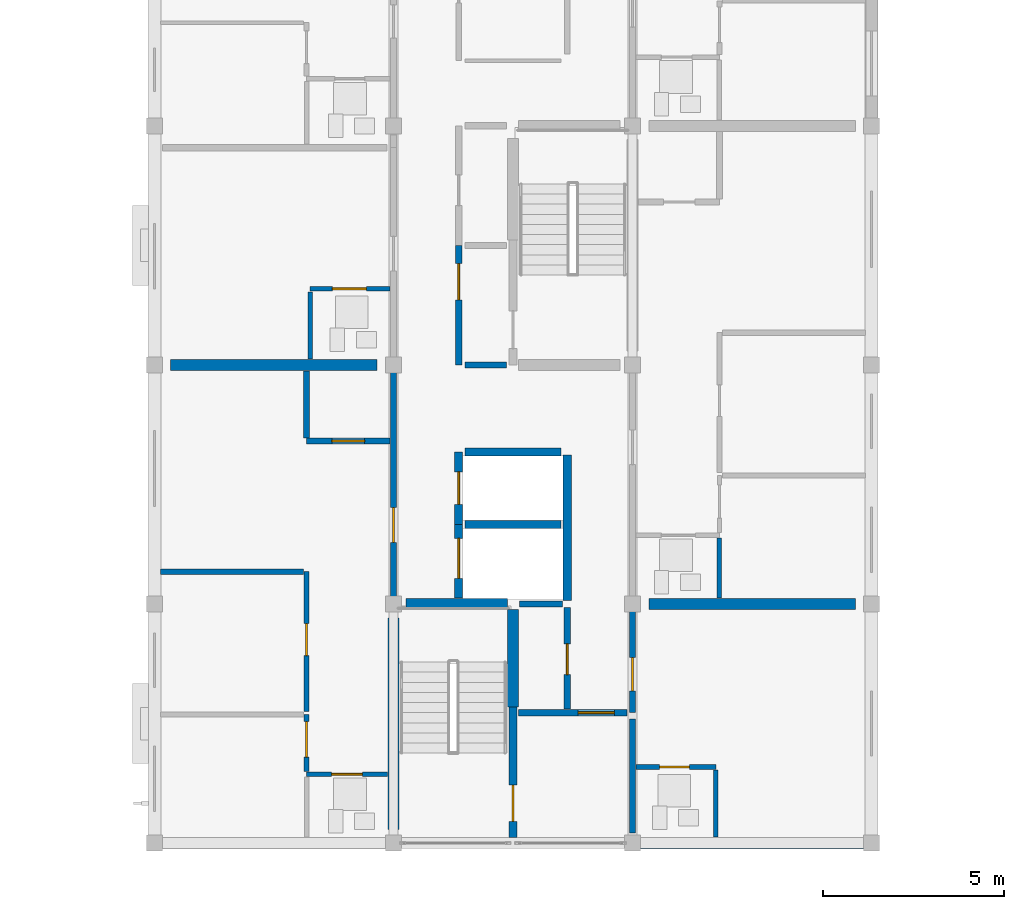
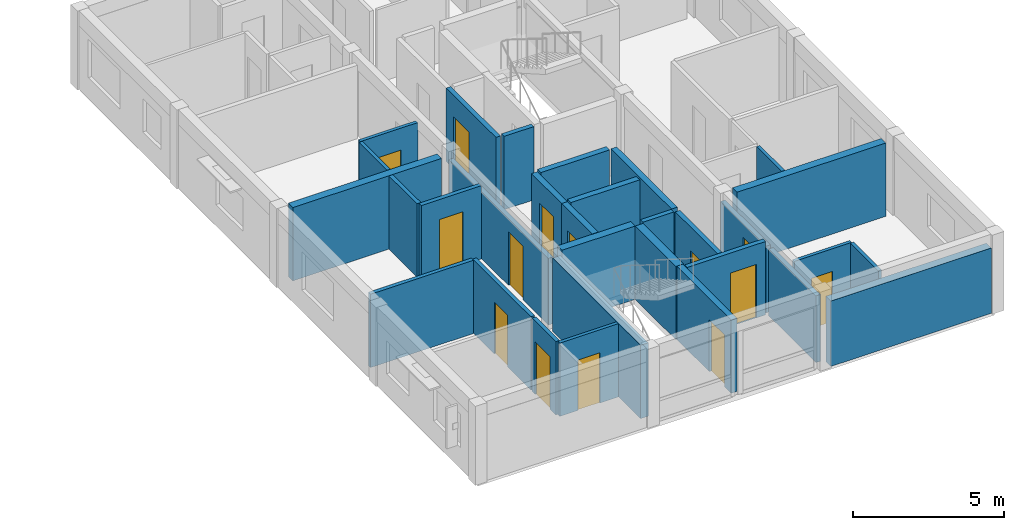
# One storey, part 31 of 53: 31 walls, 14 doors, 14 openings.
"""IFC4 building model written with IfcOpenShell, lengths in metres."""

from ifc_helpers import new_model, si_unit, direction, frame, frame_2d, origin, place, context, subcontext, project, spatial, rectangle, extrude, material, layer, layer_set, type_object, element, fill, save


model = new_model("IFC4")

# Units and contexts
model_context = context("Model", 3, precision=1e-05, world=origin(), true_north=direction((0.0, 1.0)))
body_context = subcontext(model_context, "Body", "Model", "MODEL_VIEW")
ifc_project = project(units=[si_unit("LENGTHUNIT", "METRE"), si_unit("AREAUNIT", "SQUARE_METRE"), si_unit("VOLUMEUNIT", "CUBIC_METRE"), si_unit("PLANEANGLEUNIT", "RADIAN"), si_unit("MASSUNIT", "GRAM", prefix="KILO")], contexts=[model_context])

# Site, building, storey
site_placement = place(None, origin())
site = spatial("IfcSite", under=ifc_project, at=site_placement, CompositionType="ELEMENT")
building_placement = place(site_placement, origin())
building = spatial("IfcBuilding", under=site, at=building_placement, Name="Kernevlak Ridge Housing Community", CompositionType="ELEMENT")
storey_placement = place(building_placement, frame((0.0, 0.0, 24.39990234375)))
storey = spatial("IfcBuildingStorey", under=building, at=storey_placement, Name="L07", CompositionType="ELEMENT", Elevation=24.39990234375)

# Wall
ifc_material_1 = material(Name="Concrete block masonry M10", Category="masonry")
ifc_layer_1 = layer(ifc_material_1, 0.320068359375, Name="Concrete block masonry M10")
ifc_layer_set_1 = layer_set([ifc_layer_1], Name="Concrete block masonry M10")
wall_type_1 = type_object("IfcWallType", Name="EW-02", PredefinedType="STANDARD", material=ifc_layer_set_1)
wall_1_placement = place(storey_placement, frame((139.425048828125, 15.60009765625, 0.0), z_axis=(0.0, 0.0, 1.0), x_axis=(1.0, 0.0, 0.0)))
element("IfcWall", 1, at=wall_1_placement, inside=storey, type_object=wall_type_1, Name="Exterior wall EW-02 L07 639", PredefinedType="STANDARD", context=body_context, shape_type="SweptSolid", body=[
    extrude(rectangle(XDim=6.14990234375, YDim=0.320068359375, at=frame_2d((3.074951171875, 0.0))), origin(), (0.0, 0.0, 1.0), 2.650146484375),
])

# Wall, opening, door
ifc_material_2 = material(Name="Concrete C35/45", Category="concrete")
ifc_layer_2 = layer(ifc_material_2, 0.22509765625, Name="Concrete C35/45")
ifc_layer_set_2 = layer_set([ifc_layer_2], Name="Concrete C35/45")
wall_type_2 = type_object("IfcWallType", Name="PW-01", PredefinedType="STANDARD", material=ifc_layer_set_2)
wall_2_placement = place(storey_placement, frame((135.89990234375, 15.75, 0.0), z_axis=(0.0, 0.0, 1.0), x_axis=(0.0, 1.0, 0.0)))
wall_2 = element("IfcWall", 2, at=wall_2_placement, inside=storey, type_object=wall_type_2, Name="Interior wall PW-01 WAL-INT-L07-2548", PredefinedType="STANDARD", context=body_context, shape_type="SweptSolid", body=[
    extrude(rectangle(XDim=3.60009765625, YDim=0.22509765625, at=frame_2d((1.800048828125, 0.0))), origin(), (0.0, 0.0, 1.0), 2.97021484375),
])
opening_1_placement = place(wall_2_placement, frame((0.449951171875, 0.0, 0.0)))
opening_1 = element("IfcOpeningElement", 3, at=opening_1_placement, cuts=wall_2, Name="Opening E293", PredefinedType="OPENING", context=body_context, shape_type="SweptSolid", body=[
    extrude(rectangle(XDim=1.0, YDim=2.10009765625, at=frame_2d((0.5, 1.050048828125))), frame((0.0, 0.12255859375, 0.0), z_axis=(0.0, -1.0, 0.0), x_axis=(1.0, 0.0, 0.0)), (0.0, 0.0, 1.0), 0.2451171875),
])
ifc_material_3 = material(Name="Fire-rated sheet steel leaf", Category="steel")
door_type_1 = type_object("IfcDoorType", Name="DT-05", OperationType="NOTDEFINED", PredefinedType="DOOR", material=ifc_material_3)
door_1_placement = place(opening_1_placement, origin())
door_1 = element("IfcDoor", 4, at=door_1_placement, inside=storey, type_object=door_type_1, Name="Block C Stair 1 fire door E293", OperationType="SINGLE_SWING_RIGHT", OverallHeight=2.10009765625, OverallWidth=1.0, PredefinedType="DOOR", context=body_context, shape_type="SweptSolid", body=[
    extrude(rectangle(XDim=1.0, YDim=2.10009765625, at=frame_2d((0.5, 1.050048828125))), frame((0.0, 0.02490234375, 0.0), z_axis=(0.0, -1.0, 0.0), x_axis=(1.0, 0.0, 0.0)), (0.0, 0.0, 1.0), 0.050048828125),
])
fill(opening_1, door_1)

wall_3_placement = place(storey_placement, frame((134.39990234375, 22.360107421875, 0.0), z_axis=(0.0, 0.0, 1.0), x_axis=(0.0, 1.0, 0.0)))
wall_3 = element("IfcWall", 5, at=wall_3_placement, inside=storey, type_object=wall_type_2, Name="Interior wall PW-01 WAL-INT-L07-2552", PredefinedType="STANDARD", context=body_context, shape_type="SweptSolid", body=[
    extrude(rectangle(XDim=2.039794921875, YDim=0.22509765625, at=frame_2d((1.02001953125, 0.0))), origin(), (0.0, 0.0, 1.0), 2.97021484375),
])
opening_2_placement = place(wall_3_placement, frame((0.550048828125, 0.0, 0.0)))
opening_2 = element("IfcOpeningElement", 6, at=opening_2_placement, cuts=wall_3, Name="Opening LD69", PredefinedType="OPENING", context=body_context, shape_type="SweptSolid", body=[
    extrude(rectangle(XDim=1.10009765625, YDim=2.10009765625, at=frame_2d((0.550048828125, 1.050048828125))), frame((0.0, 0.12255859375, 0.0), z_axis=(0.0, -1.0, 0.0), x_axis=(1.0, 0.0, 0.0)), (0.0, 0.0, 1.0), 0.2451171875),
])
ifc_material_4 = material(Name="Stainless steel EN 1.4401", Category="steel")
door_type_2 = type_object("IfcDoorType", Name="DT-LD1", OperationType="DOUBLE_DOOR_SLIDING", PredefinedType="DOOR", material=ifc_material_4)
door_2_placement = place(opening_2_placement, origin())
door_2 = element("IfcDoor", 7, at=door_2_placement, inside=storey, type_object=door_type_2, Name="Lift LF-C1 landing door LD69", OperationType="DOUBLE_DOOR_SLIDING", OverallHeight=2.10009765625, OverallWidth=1.10009765625, PredefinedType="DOOR", context=body_context, shape_type="SweptSolid", body=[
    extrude(rectangle(XDim=1.10009765625, YDim=2.10009765625, at=frame_2d((0.550048828125, 1.050048828125))), frame((0.0, 0.02490234375, 0.0), z_axis=(0.0, -1.0, 0.0), x_axis=(1.0, 0.0, 0.0)), (0.0, 0.0, 1.0), 0.050048828125),
])
fill(opening_2, door_2)

wall_4_placement = place(storey_placement, frame((134.39990234375, 24.39990234375, 0.0), z_axis=(0.0, 0.0, 1.0), x_axis=(0.0, 1.0, 0.0)))
wall_4 = element("IfcWall", 8, at=wall_4_placement, inside=storey, type_object=wall_type_2, Name="Interior wall PW-01 WAL-INT-L07-2553", PredefinedType="STANDARD", context=body_context, shape_type="SweptSolid", body=[
    extrude(rectangle(XDim=2.0, YDim=0.22509765625, at=frame_2d((1.0, 0.0))), origin(), (0.0, 0.0, 1.0), 2.97021484375),
])
opening_3_placement = place(wall_4_placement, frame((0.550048828125, 0.0, 0.0)))
opening_3 = element("IfcOpeningElement", 9, at=opening_3_placement, cuts=wall_4, Name="Opening LD70", PredefinedType="OPENING", context=body_context, shape_type="SweptSolid", body=[
    extrude(rectangle(XDim=0.89990234375, YDim=2.10009765625, at=frame_2d((0.449951171875, 1.050048828125))), frame((0.0, 0.12255859375, 0.0), z_axis=(0.0, -1.0, 0.0), x_axis=(1.0, 0.0, 0.0)), (0.0, 0.0, 1.0), 0.2451171875),
])
door_type_3 = type_object("IfcDoorType", Name="DT-LD2", OperationType="DOUBLE_DOOR_SLIDING", PredefinedType="DOOR", material=ifc_material_4)
door_3_placement = place(opening_3_placement, origin())
door_3 = element("IfcDoor", 10, at=door_3_placement, inside=storey, type_object=door_type_3, Name="Lift LF-C2 landing door LD70", OperationType="DOUBLE_DOOR_SLIDING", OverallHeight=2.10009765625, OverallWidth=0.89990234375, PredefinedType="DOOR", context=body_context, shape_type="SweptSolid", body=[
    extrude(rectangle(XDim=0.89990234375, YDim=2.10009765625, at=frame_2d((0.449951171875, 1.050048828125))), frame((0.0, 0.02490234375, 0.0), z_axis=(0.0, -1.0, 0.0), x_axis=(1.0, 0.0, 0.0)), (0.0, 0.0, 1.0), 0.050048828125),
])
fill(opening_3, door_3)

# Walls
wall_5_placement = place(storey_placement, frame((137.39990234375, 22.297607421875, 0.0), z_axis=(0.0, 0.0, 1.0), x_axis=(0.0, 1.0, 0.0)))
element("IfcWall", 11, at=wall_5_placement, inside=storey, type_object=wall_type_2, Name="Interior wall PW-01 WAL-INT-L07-2554", PredefinedType="STANDARD", context=body_context, shape_type="SweptSolid", body=[
    extrude(rectangle(XDim=4.0224609375, YDim=0.22509765625, at=frame_2d((2.01123046875, 0.0))), origin(), (0.0, 0.0, 1.0), 2.97021484375),
])
for number, where, z_axis, x_axis, name in (
    (12, (134.580078125, 24.39990234375, 0.0), (0.0, 0.0, 1.0), (1.0, 0.0, 0.0), "Interior wall PW-01 WAL-INT-L07-2556"),
    (13, (134.580078125, 26.39990234375, 0.0), (0.0, 0.0, 1.0), (1.0, 0.0, 0.0), "Interior wall PW-01 WAL-INT-L07-2557"),
):
    element("IfcWall", number, at=place(storey_placement, frame(where, z_axis=z_axis, x_axis=x_axis)), inside=storey, type_object=wall_type_2, Name=name, PredefinedType="STANDARD", context=body_context, shape_type="SweptSolid", body=[
        extrude(rectangle(XDim=2.639892578125, YDim=0.22509765625, at=frame_2d((1.31982421875, 0.0))), origin(), (0.0, 0.0, 1.0), 2.97021484375),
    ])

# Wall, opening, door
ifc_layer_3 = layer(ifc_material_1, 0.175048828125, Name="Concrete block masonry M10")
ifc_layer_set_3 = layer_set([ifc_layer_3], Name="Concrete block masonry M10")
wall_type_3 = type_object("IfcWallType", Name="PW-02", PredefinedType="PARTITIONING", material=ifc_layer_set_3)
wall_6_placement = place(storey_placement, frame((136.050048828125, 19.199951171875, 0.0), z_axis=(0.0, 0.0, 1.0), x_axis=(1.0, 0.0, 0.0)))
wall_6 = element("IfcWall", 14, at=wall_6_placement, inside=storey, type_object=wall_type_3, Name="Interior wall PW-02 WAL-INT-L07-2549", PredefinedType="PARTITIONING", context=body_context, shape_type="SweptSolid", body=[
    extrude(rectangle(XDim=3.0, YDim=0.175048828125, at=frame_2d((1.5, 0.0))), origin(), (0.0, 0.0, 1.0), 2.97021484375),
])
opening_4_placement = place(wall_6_placement, frame((1.64990234375, 0.0, 0.0)))
opening_4 = element("IfcOpeningElement", 15, at=opening_4_placement, cuts=wall_6, Name="Opening E294", PredefinedType="OPENING", context=body_context, shape_type="SweptSolid", body=[
    extrude(rectangle(XDim=1.0, YDim=2.159912109375, at=frame_2d((0.5, 1.080078125))), frame((0.0, 0.097412109375, 0.0), z_axis=(0.0, -1.0, 0.0), x_axis=(1.0, 0.0, 0.0)), (0.0, 0.0, 1.0), 0.195068359375),
])
door_type_4 = type_object("IfcDoorType", Name="DT-15", OperationType="NOTDEFINED", PredefinedType="DOOR", material=ifc_material_3)
door_4_placement = place(opening_4_placement, origin())
door_4 = element("IfcDoor", 16, at=door_4_placement, inside=storey, type_object=door_type_4, Name="Block C Firefighting lobby 1 door E294", OperationType="SINGLE_SWING_LEFT", OverallHeight=2.159912109375, OverallWidth=1.0, PredefinedType="DOOR", context=body_context, shape_type="SweptSolid", body=[
    extrude(rectangle(XDim=1.0, YDim=2.159912109375, at=frame_2d((0.5, 1.080078125))), frame((0.0, 0.02490234375, 0.0), z_axis=(0.0, -1.0, 0.0), x_axis=(1.0, 0.0, 0.0)), (0.0, 0.0, 1.0), 0.050048828125),
])
fill(opening_4, door_4)

wall_7_placement = place(storey_placement, frame((137.39990234375, 19.300048828125, 0.0), z_axis=(0.0, 0.0, 1.0), x_axis=(0.0, 1.0, 0.0)))
wall_7 = element("IfcWall", 17, at=wall_7_placement, inside=storey, type_object=wall_type_3, Name="Interior wall PW-02 WAL-INT-L07-2550", PredefinedType="PARTITIONING", context=body_context, shape_type="SweptSolid", body=[
    extrude(rectangle(XDim=2.800048828125, YDim=0.175048828125, at=frame_2d((1.39990234375, 0.0))), origin(), (0.0, 0.0, 1.0), 2.97021484375),
])
opening_5_placement = place(wall_7_placement, frame((0.949951171875, 0.0, 0.0)))
opening_5 = element("IfcOpeningElement", 18, at=opening_5_placement, cuts=wall_7, Name="Opening E295", PredefinedType="OPENING", context=body_context, shape_type="SweptSolid", body=[
    extrude(rectangle(XDim=0.85009765625, YDim=2.0, at=frame_2d((0.425048828125, 1.0))), frame((0.0, 0.097412109375, 0.0), z_axis=(0.0, -1.0, 0.0), x_axis=(1.0, 0.0, 0.0)), (0.0, 0.0, 1.0), 0.195068359375),
])
door_type_5 = type_object("IfcDoorType", Name="DT-07", OperationType="NOTDEFINED", PredefinedType="DOOR", material=ifc_material_3)
door_5_placement = place(opening_5_placement, origin())
door_5 = element("IfcDoor", 19, at=door_5_placement, inside=storey, type_object=door_type_5, Name="Block C Riser shaft door E295", OperationType="SINGLE_SWING_RIGHT", OverallHeight=2.0, OverallWidth=0.85009765625, PredefinedType="DOOR", context=body_context, shape_type="SweptSolid", body=[
    extrude(rectangle(XDim=0.85009765625, YDim=2.0, at=frame_2d((0.425048828125, 1.0))), frame((0.0, 0.02490234375, 0.0), z_axis=(0.0, -1.0, 0.0), x_axis=(1.0, 0.0, 0.0)), (0.0, 0.0, 1.0), 0.050048828125),
])
fill(opening_5, door_5)

# Wall
wall_8_placement = place(storey_placement, frame((136.080078125, 22.199951171875, 0.0), z_axis=(0.0, 0.0, 1.0), x_axis=(1.0, 0.0, 0.0)))
element("IfcWall", 20, at=wall_8_placement, inside=storey, type_object=wall_type_3, Name="Interior wall PW-02 WAL-INT-L07-2551", PredefinedType="PARTITIONING", context=body_context, shape_type="SweptSolid", body=[
    extrude(rectangle(XDim=1.18994140625, YDim=0.175048828125, at=frame_2d((0.594970703125, 0.0))), origin(), (0.0, 0.0, 1.0), 2.97021484375),
])

# Wall, opening, door
wall_9_placement = place(storey_placement, frame((134.39990234375, 28.800048828125, 0.0), z_axis=(0.0, 0.0, 1.0), x_axis=(0.0, 1.0, 0.0)))
wall_9 = element("IfcWall", 21, at=wall_9_placement, inside=storey, type_object=wall_type_3, Name="Interior wall PW-02 WAL-INT-L07-2559", PredefinedType="PARTITIONING", context=body_context, shape_type="SweptSolid", body=[
    extrude(rectangle(XDim=3.300048828125, YDim=0.175048828125, at=frame_2d((1.64990234375, 0.0))), origin(), (0.0, 0.0, 1.0), 2.97021484375),
])
opening_6_placement = place(wall_9_placement, frame((1.800048828125, 0.0, 0.0)))
opening_6 = element("IfcOpeningElement", 22, at=opening_6_placement, cuts=wall_9, Name="Opening E297", PredefinedType="OPENING", context=body_context, shape_type="SweptSolid", body=[
    extrude(rectangle(XDim=1.0, YDim=2.10009765625, at=frame_2d((0.5, 1.050048828125))), frame((0.0, 0.097412109375, 0.0), z_axis=(0.0, -1.0, 0.0), x_axis=(1.0, 0.0, 0.0)), (0.0, 0.0, 1.0), 0.195068359375),
])
door_6_placement = place(opening_6_placement, origin())
door_6 = element("IfcDoor", 23, at=door_6_placement, inside=storey, type_object=door_type_1, Name="Block C Firefighting lobby 2 door E297", OperationType="SINGLE_SWING_RIGHT", OverallHeight=2.10009765625, OverallWidth=1.0, PredefinedType="DOOR", context=body_context, shape_type="SweptSolid", body=[
    extrude(rectangle(XDim=1.0, YDim=2.10009765625, at=frame_2d((0.5, 1.050048828125))), frame((0.0, 0.02490234375, 0.0), z_axis=(0.0, -1.0, 0.0), x_axis=(1.0, 0.0, 0.0)), (0.0, 0.0, 1.0), 0.050048828125),
])
fill(opening_6, door_6)

# Wall
wall_10_placement = place(storey_placement, frame((134.580078125, 28.800048828125, 0.0), z_axis=(0.0, 0.0, 1.0), x_axis=(1.0, 0.0, 0.0)))
element("IfcWall", 24, at=wall_10_placement, inside=storey, type_object=wall_type_3, Name="Interior wall PW-02 WAL-INT-L07-2561", PredefinedType="PARTITIONING", context=body_context, shape_type="SweptSolid", body=[
    extrude(rectangle(XDim=1.139892578125, YDim=0.175048828125, at=frame_2d((0.56982421875, 0.0))), origin(), (0.0, 0.0, 1.0), 2.97021484375),
])

# Wall, opening, door
wall_11_placement = place(storey_placement, frame((132.60009765625, 22.199951171875, 0.0), z_axis=(0.0, 0.0, 1.0), x_axis=(0.0, 1.0, 0.0)))
wall_11 = element("IfcWall", 25, at=wall_11_placement, inside=storey, type_object=wall_type_3, Name="Interior wall PW-02 WAL-INT-L07-2567", PredefinedType="PARTITIONING", context=body_context, shape_type="SweptSolid", body=[
    extrude(rectangle(XDim=6.60009765625, YDim=0.175048828125, at=frame_2d((3.300048828125, 0.0))), origin(), (0.0, 0.0, 1.0), 2.7001953125),
])
opening_7_placement = place(wall_11_placement, frame((1.699951171875, 0.0, 0.0)))
opening_7 = element("IfcOpeningElement", 26, at=opening_7_placement, cuts=wall_11, Name="Opening E300", PredefinedType="OPENING", context=body_context, shape_type="SweptSolid", body=[
    extrude(rectangle(XDim=0.9599609375, YDim=2.179931640625, at=frame_2d((0.47998046875, 1.08984375))), frame((0.0, 0.097412109375, 0.0), z_axis=(0.0, -1.0, 0.0), x_axis=(1.0, 0.0, 0.0)), (0.0, 0.0, 1.0), 0.195068359375),
])
ifc_material_5 = material(Name="Hardwood timber solid-core fire leaf", Category="wood")
door_type_6 = type_object("IfcDoorType", Name="DT-29", OperationType="NOTDEFINED", PredefinedType="DOOR", material=ifc_material_5)
door_7_placement = place(opening_7_placement, origin())
door_7 = element("IfcDoor", 27, at=door_7_placement, inside=storey, type_object=door_type_6, Name="Flat C0711 entrance fire door E300", OperationType="SINGLE_SWING_LEFT", OverallHeight=2.179931640625, OverallWidth=0.9599609375, PredefinedType="DOOR", context=body_context, shape_type="SweptSolid", body=[
    extrude(rectangle(XDim=0.9599609375, YDim=2.179931640625, at=frame_2d((0.47998046875, 1.08984375))), frame((0.0, 0.02490234375, 0.0), z_axis=(0.0, -1.0, 0.0), x_axis=(1.0, 0.0, 0.0)), (0.0, 0.0, 1.0), 0.050048828125),
])
fill(opening_7, door_7)

# Wall
wall_12_placement = place(storey_placement, frame((139.199951171875, 15.8798828125, 0.0), z_axis=(0.0, 0.0, 1.0), x_axis=(0.0, 1.0, 0.0)))
element("IfcWall", 28, at=wall_12_placement, inside=storey, type_object=wall_type_3, Name="Interior wall PW-02 WAL-INT-L07-2587", PredefinedType="PARTITIONING", context=body_context, shape_type="SweptSolid", body=[
    extrude(rectangle(XDim=3.14013671875, YDim=0.175048828125, at=frame_2d((1.570068359375, 0.0))), origin(), (0.0, 0.0, 1.0), 2.7001953125),
])

# Wall, opening, door
wall_13_placement = place(storey_placement, frame((139.199951171875, 19.199951171875, 0.0), z_axis=(0.0, 0.0, 1.0), x_axis=(0.0, 1.0, 0.0)))
wall_13 = element("IfcWall", 29, at=wall_13_placement, inside=storey, type_object=wall_type_3, Name="Interior wall PW-02 WAL-INT-L07-2588", PredefinedType="PARTITIONING", context=body_context, shape_type="SweptSolid", body=[
    extrude(rectangle(XDim=3.0, YDim=0.175048828125, at=frame_2d((1.5, 0.0))), origin(), (0.0, 0.0, 1.0), 2.7001953125),
])
opening_8_placement = place(wall_13_placement, frame((0.60009765625, 0.0, 0.0)))
opening_8 = element("IfcOpeningElement", 30, at=opening_8_placement, cuts=wall_13, Name="Opening E311", PredefinedType="OPENING", context=body_context, shape_type="SweptSolid", body=[
    extrude(rectangle(XDim=0.919921875, YDim=2.139892578125, at=frame_2d((0.4599609375, 1.06982421875))), frame((0.0, 0.097412109375, 0.0), z_axis=(0.0, -1.0, 0.0), x_axis=(1.0, 0.0, 0.0)), (0.0, 0.0, 1.0), 0.195068359375),
])
door_type_7 = type_object("IfcDoorType", Name="DT-20", OperationType="NOTDEFINED", PredefinedType="DOOR", material=ifc_material_5)
door_8_placement = place(opening_8_placement, origin())
door_8 = element("IfcDoor", 31, at=door_8_placement, inside=storey, type_object=door_type_7, Name="Flat C0721 entrance fire door E311", OperationType="SINGLE_SWING_RIGHT", OverallHeight=2.139892578125, OverallWidth=0.919921875, PredefinedType="DOOR", context=body_context, shape_type="SweptSolid", body=[
    extrude(rectangle(XDim=0.919921875, YDim=2.139892578125, at=frame_2d((0.4599609375, 1.06982421875))), frame((0.0, 0.02490234375, 0.0), z_axis=(0.0, -1.0, 0.0), x_axis=(1.0, 0.0, 0.0)), (0.0, 0.0, 1.0), 0.050048828125),
])
fill(opening_8, door_8)

ifc_layer_4 = layer(ifc_material_1, 0.14501953125, Name="Concrete block masonry M10")
ifc_layer_set_4 = layer_set([ifc_layer_4], Name="Concrete block masonry M10")
wall_type_4 = type_object("IfcWallType", Name="PW-03", PredefinedType="PARTITIONING", material=ifc_layer_set_4)
wall_14_placement = place(storey_placement, frame((130.199951171875, 17.572509765625, 0.0), z_axis=(0.0, 0.0, 1.0), x_axis=(0.0, 1.0, 0.0)))
wall_14 = element("IfcWall", 32, at=wall_14_placement, inside=storey, type_object=wall_type_4, Name="Interior wall PW-03 WAL-INT-L07-2572", PredefinedType="PARTITIONING", context=body_context, shape_type="SweptSolid", body=[
    extrude(rectangle(XDim=1.577392578125, YDim=0.14501953125, at=frame_2d((0.78857421875, 0.0))), origin(), (0.0, 0.0, 1.0), 2.97021484375),
])
opening_9_placement = place(wall_14_placement, frame((0.39990234375, 0.0, 0.0)))
opening_9 = element("IfcOpeningElement", 33, at=opening_9_placement, cuts=wall_14, Name="Opening E303", PredefinedType="OPENING", context=body_context, shape_type="SweptSolid", body=[
    extrude(rectangle(XDim=0.97998046875, YDim=2.1201171875, at=frame_2d((0.489990234375, 1.06005859375))), frame((0.0, 0.08251953125, 0.0), z_axis=(0.0, -1.0, 0.0), x_axis=(1.0, 0.0, 0.0)), (0.0, 0.0, 1.0), 0.1650390625),
])
ifc_material_6 = material(Name="Hardwood timber leaf", Category="wood")
door_type_8 = type_object("IfcDoorType", Name="DT-24", OperationType="NOTDEFINED", PredefinedType="DOOR", material=ifc_material_6)
door_9_placement = place(opening_9_placement, origin())
door_9 = element("IfcDoor", 34, at=door_9_placement, inside=storey, type_object=door_type_8, Name="Flat C0711 bedroom door E303", OperationType="SINGLE_SWING_RIGHT", OverallHeight=2.1201171875, OverallWidth=0.97998046875, PredefinedType="DOOR", context=body_context, shape_type="SweptSolid", body=[
    extrude(rectangle(XDim=0.97998046875, YDim=2.1201171875, at=frame_2d((0.489990234375, 1.06005859375))), frame((0.0, 0.02490234375, 0.0), z_axis=(0.0, -1.0, 0.0), x_axis=(1.0, 0.0, 0.0)), (0.0, 0.0, 1.0), 0.050048828125),
])
fill(opening_9, door_9)

wall_15_placement = place(storey_placement, frame((130.199951171875, 19.232421875, 0.0), z_axis=(0.0, 0.0, 1.0), x_axis=(0.0, 1.0, 0.0)))
wall_15 = element("IfcWall", 35, at=wall_15_placement, inside=storey, type_object=wall_type_4, Name="Interior wall PW-03 WAL-INT-L07-2574", PredefinedType="PARTITIONING", context=body_context, shape_type="SweptSolid", body=[
    extrude(rectangle(XDim=3.859619140625, YDim=0.14501953125, at=frame_2d((1.9296875, 0.0))), origin(), (0.0, 0.0, 1.0), 2.97021484375),
])
opening_10_placement = place(wall_15_placement, frame((1.5458984375, 0.0, 0.0)))
opening_10 = element("IfcOpeningElement", 36, at=opening_10_placement, cuts=wall_15, Name="Opening E304", PredefinedType="OPENING", context=body_context, shape_type="SweptSolid", body=[
    extrude(rectangle(XDim=0.8798828125, YDim=2.10009765625, at=frame_2d((0.43994140625, 1.050048828125))), frame((0.0, 0.08251953125, 0.0), z_axis=(0.0, -1.0, 0.0), x_axis=(1.0, 0.0, 0.0)), (0.0, 0.0, 1.0), 0.1650390625),
])
door_type_9 = type_object("IfcDoorType", Name="DT-25", OperationType="NOTDEFINED", PredefinedType="DOOR", material=ifc_material_6)
door_10_placement = place(opening_10_placement, origin())
door_10 = element("IfcDoor", 37, at=door_10_placement, inside=storey, type_object=door_type_9, Name="Flat C0711 bedroom door E304", OperationType="SINGLE_SWING_LEFT", OverallHeight=2.10009765625, OverallWidth=0.8798828125, PredefinedType="DOOR", context=body_context, shape_type="SweptSolid", body=[
    extrude(rectangle(XDim=0.8798828125, YDim=2.10009765625, at=frame_2d((0.43994140625, 1.050048828125))), frame((0.0, 0.02490234375, 0.0), z_axis=(0.0, -1.0, 0.0), x_axis=(1.0, 0.0, 0.0)), (0.0, 0.0, 1.0), 0.050048828125),
])
fill(opening_10, door_10)

# Wall
wall_16_placement = place(storey_placement, frame((130.117431640625, 23.092041015625, 0.0), z_axis=(0.0, 0.0, 1.0), x_axis=(-1.0, 0.0, 0.0)))
element("IfcWall", 38, at=wall_16_placement, inside=storey, type_object=wall_type_4, Name="Interior wall PW-03 WAL-INT-L07-2575", PredefinedType="PARTITIONING", context=body_context, shape_type="SweptSolid", body=[
    extrude(rectangle(XDim=3.947509765625, YDim=0.14501953125, at=frame_2d((1.9736328125, 0.0))), origin(), (0.0, 0.0, 1.0), 2.97021484375),
])

# Wall, opening, door
ifc_material_7 = material(Name="Gypsum plasterboard EN 520", Category="gypsum")
ifc_layer_5 = layer(ifc_material_7, 0.125, Name="Gypsum plasterboard EN 520")
ifc_layer_set_5 = layer_set([ifc_layer_5], Name="Gypsum plasterboard EN 520")
wall_type_5 = type_object("IfcWallType", Name="PW-04", PredefinedType="PARTITIONING", material=ifc_layer_set_5)
wall_17_placement = place(storey_placement, frame((132.43994140625, 17.5, 0.0), z_axis=(0.0, 0.0, 1.0), x_axis=(-1.0, 0.0, 0.0)))
wall_17 = element("IfcWall", 39, at=wall_17_placement, inside=storey, type_object=wall_type_5, Name="Interior wall PW-04 WAL-INT-L07-2568", PredefinedType="PARTITIONING", context=body_context, shape_type="SweptSolid", body=[
    extrude(rectangle(XDim=2.239990234375, YDim=0.125, at=frame_2d((1.1201171875, 0.0))), origin(), (0.0, 0.0, 1.0), 2.97021484375),
])
opening_11_placement = place(wall_17_placement, frame((0.699951171875, 0.0, 0.0)))
opening_11 = element("IfcOpeningElement", 40, at=opening_11_placement, cuts=wall_17, Name="Opening E301", PredefinedType="OPENING", context=body_context, shape_type="SweptSolid", body=[
    extrude(rectangle(XDim=0.85009765625, YDim=2.0400390625, at=frame_2d((0.425048828125, 1.02001953125))), frame((0.0, 0.072509765625, 0.0), z_axis=(0.0, -1.0, 0.0), x_axis=(1.0, 0.0, 0.0)), (0.0, 0.0, 1.0), 0.14501953125),
])
ifc_material_8 = material(Name="Hardwood timber moisture-resistant leaf", Category="wood")
door_type_10 = type_object("IfcDoorType", Name="DT-04", OperationType="NOTDEFINED", PredefinedType="DOOR", material=ifc_material_8)
door_11_placement = place(opening_11_placement, origin())
door_11 = element("IfcDoor", 41, at=door_11_placement, inside=storey, type_object=door_type_10, Name="Flat C0711 bathroom door E301", OperationType="SINGLE_SWING_RIGHT", OverallHeight=2.0400390625, OverallWidth=0.85009765625, PredefinedType="DOOR", context=body_context, shape_type="SweptSolid", body=[
    extrude(rectangle(XDim=0.85009765625, YDim=2.0400390625, at=frame_2d((0.425048828125, 1.02001953125))), frame((0.0, 0.02490234375, 0.0), z_axis=(0.0, -1.0, 0.0), x_axis=(1.0, 0.0, 0.0)), (0.0, 0.0, 1.0), 0.050048828125),
])
fill(opening_11, door_11)

wall_18_placement = place(storey_placement, frame((132.50244140625, 30.89990234375, 0.0), z_axis=(0.0, 0.0, 1.0), x_axis=(-1.0, 0.0, 0.0)))
wall_18 = element("IfcWall", 42, at=wall_18_placement, inside=storey, type_object=wall_type_5, Name="Interior wall PW-04 WAL-INT-L07-2577", PredefinedType="PARTITIONING", context=body_context, shape_type="SweptSolid", body=[
    extrude(rectangle(XDim=2.202392578125, YDim=0.125, at=frame_2d((1.10107421875, 0.0))), origin(), (0.0, 0.0, 1.0), 2.97021484375),
])
opening_12_placement = place(wall_18_placement, frame((0.64990234375, 0.0, 0.0)))
opening_12 = element("IfcOpeningElement", 43, at=opening_12_placement, cuts=wall_18, Name="Opening E306", PredefinedType="OPENING", context=body_context, shape_type="SweptSolid", body=[
    extrude(rectangle(XDim=0.93994140625, YDim=2.080078125, at=frame_2d((0.469970703125, 1.0400390625))), frame((0.0, 0.072509765625, 0.0), z_axis=(0.0, -1.0, 0.0), x_axis=(1.0, 0.0, 0.0)), (0.0, 0.0, 1.0), 0.14501953125),
])
door_type_11 = type_object("IfcDoorType", Name="DT-23", OperationType="NOTDEFINED", PredefinedType="DOOR", material=ifc_material_8)
door_12_placement = place(opening_12_placement, origin())
door_12 = element("IfcDoor", 44, at=door_12_placement, inside=storey, type_object=door_type_11, Name="Flat C0712 bathroom door E306", OperationType="SINGLE_SWING_LEFT", OverallHeight=2.080078125, OverallWidth=0.93994140625, PredefinedType="DOOR", context=body_context, shape_type="SweptSolid", body=[
    extrude(rectangle(XDim=0.93994140625, YDim=2.080078125, at=frame_2d((0.469970703125, 1.0400390625))), frame((0.0, 0.02490234375, 0.0), z_axis=(0.0, -1.0, 0.0), x_axis=(1.0, 0.0, 0.0)), (0.0, 0.0, 1.0), 0.050048828125),
])
fill(opening_12, door_12)

# Wall
wall_19_placement = place(storey_placement, frame((130.300048828125, 28.9599609375, 0.0), z_axis=(0.0, 0.0, 1.0), x_axis=(0.0, 1.0, 0.0)))
element("IfcWall", 45, at=wall_19_placement, inside=storey, type_object=wall_type_5, Name="Interior wall PW-04 WAL-INT-L07-2578", PredefinedType="PARTITIONING", context=body_context, shape_type="SweptSolid", body=[
    extrude(rectangle(XDim=1.860107421875, YDim=0.125, at=frame_2d((0.93017578125, 0.0))), origin(), (0.0, 0.0, 1.0), 2.97021484375),
])

# Wall, opening, door
wall_20_placement = place(storey_placement, frame((139.297607421875, 17.699951171875, 0.0), z_axis=(0.0, 0.0, 1.0), x_axis=(1.0, 0.0, 0.0)))
wall_20 = element("IfcWall", 46, at=wall_20_placement, inside=storey, type_object=wall_type_5, Name="Interior wall PW-04 WAL-INT-L07-2589", PredefinedType="PARTITIONING", context=body_context, shape_type="SweptSolid", body=[
    extrude(rectangle(XDim=2.202392578125, YDim=0.125, at=frame_2d((1.10107421875, 0.0))), origin(), (0.0, 0.0, 1.0), 2.97021484375),
])
opening_13_placement = place(wall_20_placement, frame((0.64990234375, 0.0, 0.0)))
opening_13 = element("IfcOpeningElement", 47, at=opening_13_placement, cuts=wall_20, Name="Opening E312", PredefinedType="OPENING", context=body_context, shape_type="SweptSolid", body=[
    extrude(rectangle(XDim=0.820068359375, YDim=2.050048828125, at=frame_2d((0.41015625, 1.02490234375))), frame((0.0, 0.072509765625, 0.0), z_axis=(0.0, -1.0, 0.0), x_axis=(1.0, 0.0, 0.0)), (0.0, 0.0, 1.0), 0.14501953125),
])
door_type_12 = type_object("IfcDoorType", Name="DT-30", OperationType="NOTDEFINED", PredefinedType="DOOR", material=ifc_material_8)
door_13_placement = place(opening_13_placement, origin())
door_13 = element("IfcDoor", 48, at=door_13_placement, inside=storey, type_object=door_type_12, Name="Flat C0721 bathroom door E312", OperationType="SINGLE_SWING_LEFT", OverallHeight=2.050048828125, OverallWidth=0.820068359375, PredefinedType="DOOR", context=body_context, shape_type="SweptSolid", body=[
    extrude(rectangle(XDim=0.820068359375, YDim=2.050048828125, at=frame_2d((0.41015625, 1.02490234375))), frame((0.0, 0.02490234375, 0.0), z_axis=(0.0, -1.0, 0.0), x_axis=(1.0, 0.0, 0.0)), (0.0, 0.0, 1.0), 0.050048828125),
])
fill(opening_13, door_13)

# Walls
wall_21_placement = place(storey_placement, frame((141.5, 15.77001953125, 0.0), z_axis=(0.0, 0.0, 1.0), x_axis=(0.0, 1.0, 0.0)))
element("IfcWall", 49, at=wall_21_placement, inside=storey, type_object=wall_type_5, Name="Interior wall PW-04 WAL-INT-L07-2590", PredefinedType="PARTITIONING", context=body_context, shape_type="SweptSolid", body=[
    extrude(rectangle(XDim=1.85009765625, YDim=0.125, at=frame_2d((0.925048828125, 0.0))), origin(), (0.0, 0.0, 1.0), 2.97021484375),
])
wall_22_placement = place(storey_placement, frame((141.60009765625, 22.360107421875, 0.0), z_axis=(0.0, 0.0, 1.0), x_axis=(0.0, 1.0, 0.0)))
element("IfcWall", 50, at=wall_22_placement, inside=storey, type_object=wall_type_5, Name="Interior wall PW-04 WAL-INT-L07-2593", PredefinedType="PARTITIONING", context=body_context, shape_type="SweptSolid", body=[
    extrude(rectangle(XDim=1.659912109375, YDim=0.125, at=frame_2d((0.830078125, 0.0))), origin(), (0.0, 0.0, 1.0), 2.97021484375),
])

# Wall, opening, door
ifc_layer_6 = layer(ifc_material_7, 0.155029296875, Name="Gypsum plasterboard EN 520")
ifc_layer_set_6 = layer_set([ifc_layer_6], Name="Gypsum plasterboard EN 520")
wall_type_6 = type_object("IfcWallType", Name="PW-05", PredefinedType="PARTITIONING", material=ifc_layer_set_6)
wall_23_placement = place(storey_placement, frame((132.50244140625, 26.699951171875, 0.0), z_axis=(0.0, 0.0, 1.0), x_axis=(-1.0, 0.0, 0.0)))
wall_23 = element("IfcWall", 51, at=wall_23_placement, inside=storey, type_object=wall_type_6, Name="Interior wall PW-05 WAL-INT-L07-2570", PredefinedType="PARTITIONING", context=body_context, shape_type="SweptSolid", body=[
    extrude(rectangle(XDim=2.302490234375, YDim=0.155029296875, at=frame_2d((1.1513671875, 0.0))), origin(), (0.0, 0.0, 1.0), 2.97021484375),
])
opening_14_placement = place(wall_23_placement, frame((0.699951171875, 0.0, 0.0)))
opening_14 = element("IfcOpeningElement", 52, at=opening_14_placement, cuts=wall_23, Name="Opening E302", PredefinedType="OPENING", context=body_context, shape_type="SweptSolid", body=[
    extrude(rectangle(XDim=0.89990234375, YDim=2.159912109375, at=frame_2d((0.449951171875, 1.080078125))), frame((0.0, 0.08740234375, 0.0), z_axis=(0.0, -1.0, 0.0), x_axis=(1.0, 0.0, 0.0)), (0.0, 0.0, 1.0), 0.175048828125),
])
door_type_13 = type_object("IfcDoorType", Name="DT-22", OperationType="NOTDEFINED", PredefinedType="DOOR", material=ifc_material_6)
door_14_placement = place(opening_14_placement, origin())
door_14 = element("IfcDoor", 53, at=door_14_placement, inside=storey, type_object=door_type_13, Name="Flat C0711 kitchen door E302", OperationType="SINGLE_SWING_LEFT", OverallHeight=2.159912109375, OverallWidth=0.89990234375, PredefinedType="DOOR", context=body_context, shape_type="SweptSolid", body=[
    extrude(rectangle(XDim=0.89990234375, YDim=2.159912109375, at=frame_2d((0.449951171875, 1.080078125))), frame((0.0, 0.02490234375, 0.0), z_axis=(0.0, -1.0, 0.0), x_axis=(1.0, 0.0, 0.0)), (0.0, 0.0, 1.0), 0.050048828125),
])
fill(opening_14, door_14)

# Walls
wall_24_placement = place(storey_placement, frame((130.199951171875, 26.78759765625, 0.0), z_axis=(0.0, 0.0, 1.0), x_axis=(0.0, 1.0, 0.0)))
element("IfcWall", 54, at=wall_24_placement, inside=storey, type_object=wall_type_6, Name="Interior wall PW-05 WAL-INT-L07-2571", PredefinedType="PARTITIONING", context=body_context, shape_type="SweptSolid", body=[
    extrude(rectangle(XDim=1.852294921875, YDim=0.155029296875, at=frame_2d((0.92626953125, 0.0))), origin(), (0.0, 0.0, 1.0), 2.97021484375),
])
ifc_material_9 = material(Name="Concrete C40/50", Category="concrete")
ifc_layer_7 = layer(ifc_material_9, 0.300048828125, Name="Concrete C40/50")
ifc_layer_set_7 = layer_set([ifc_layer_7], Name="Concrete C40/50")
wall_type_7 = type_object("IfcWallType", Name="SW-02", PredefinedType="SHEAR", material=ifc_layer_set_7)
wall_25_placement = place(storey_placement, frame((132.60009765625, 15.97998046875, 0.0), z_axis=(0.0, 0.0, 1.0), x_axis=(0.0, 1.0, 0.0)))
element("IfcWall", 55, at=wall_25_placement, inside=storey, type_object=wall_type_7, Name="Shear wall SW-02 Block C L07 441", PredefinedType="SHEAR", context=body_context, shape_type="SweptSolid", body=[
    extrude(rectangle(XDim=5.840087890625, YDim=0.300048828125, at=frame_2d((2.919921875, 0.0))), origin(), (0.0, 0.0, 1.0), 2.97021484375),
])
wall_26_placement = place(storey_placement, frame((135.89990234375, 19.35009765625, 0.0), z_axis=(0.0, 0.0, 1.0), x_axis=(0.0, 1.0, 0.0)))
element("IfcWall", 56, at=wall_26_placement, inside=storey, type_object=wall_type_7, Name="Shear wall SW-02 Block C L07 442", PredefinedType="SHEAR", context=body_context, shape_type="SweptSolid", body=[
    extrude(rectangle(XDim=2.699951171875, YDim=0.300048828125, at=frame_2d((1.35009765625, 0.0))), origin(), (0.0, 0.0, 1.0), 2.97021484375),
])
wall_27_placement = place(storey_placement, frame((132.949951171875, 22.199951171875, 0.0), z_axis=(0.0, 0.0, 1.0), x_axis=(1.0, 0.0, 0.0)))
element("IfcWall", 57, at=wall_27_placement, inside=storey, type_object=wall_type_7, Name="Shear wall SW-02 Block C L07 443", PredefinedType="SHEAR", context=body_context, shape_type="SweptSolid", body=[
    extrude(rectangle(XDim=2.800048828125, YDim=0.300048828125, at=frame_2d((1.39990234375, 0.0))), origin(), (0.0, 0.0, 1.0), 2.97021484375),
])
wall_28_placement = place(storey_placement, frame((126.449951171875, 28.800048828125, 0.0), z_axis=(0.0, 0.0, 1.0), x_axis=(1.0, 0.0, 0.0)))
element("IfcWall", 58, at=wall_28_placement, inside=storey, type_object=wall_type_7, Name="Shear wall SW-02 Block C L07 448", PredefinedType="SHEAR", context=body_context, shape_type="SweptSolid", body=[
    extrude(rectangle(XDim=5.699951171875, YDim=0.300048828125, at=frame_2d((2.85009765625, 0.0))), origin(), (0.0, 0.0, 1.0), 2.97021484375),
])
wall_29_placement = place(storey_placement, frame((139.64990234375, 22.199951171875, 0.0), z_axis=(0.0, 0.0, 1.0), x_axis=(1.0, 0.0, 0.0)))
element("IfcWall", 59, at=wall_29_placement, inside=storey, type_object=wall_type_7, Name="Shear wall SW-02 Block C L07 449", PredefinedType="SHEAR", context=body_context, shape_type="SweptSolid", body=[
    extrude(rectangle(XDim=5.7001953125, YDim=0.300048828125, at=frame_2d((2.85009765625, 0.0))), origin(), (0.0, 0.0, 1.0), 2.97021484375),
])

save(model, "model.ifc")
